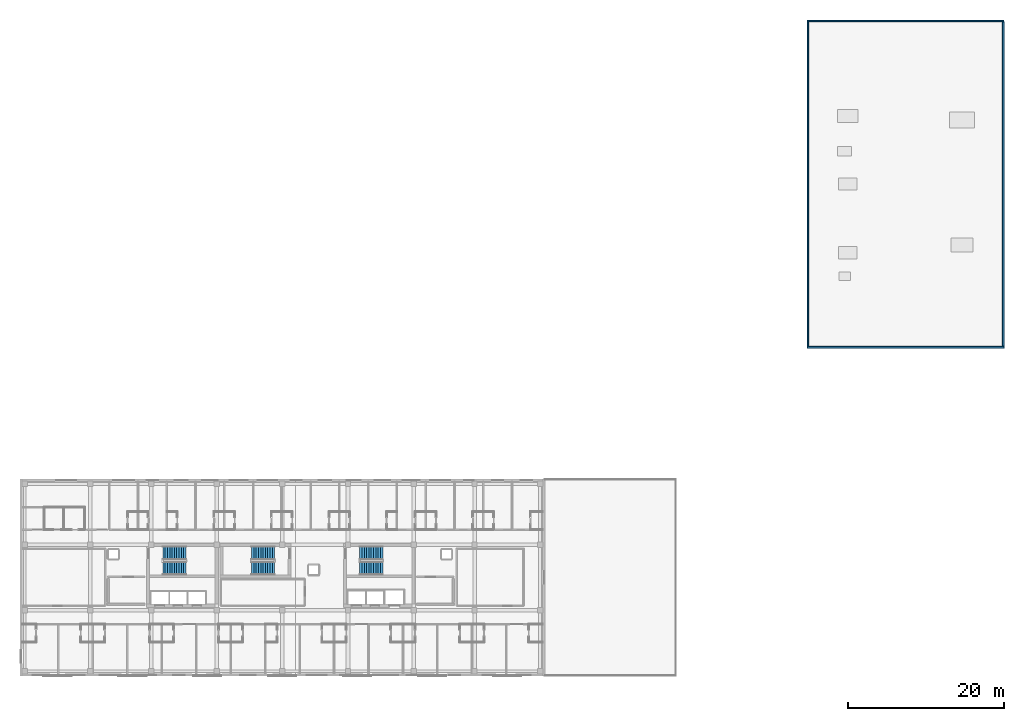
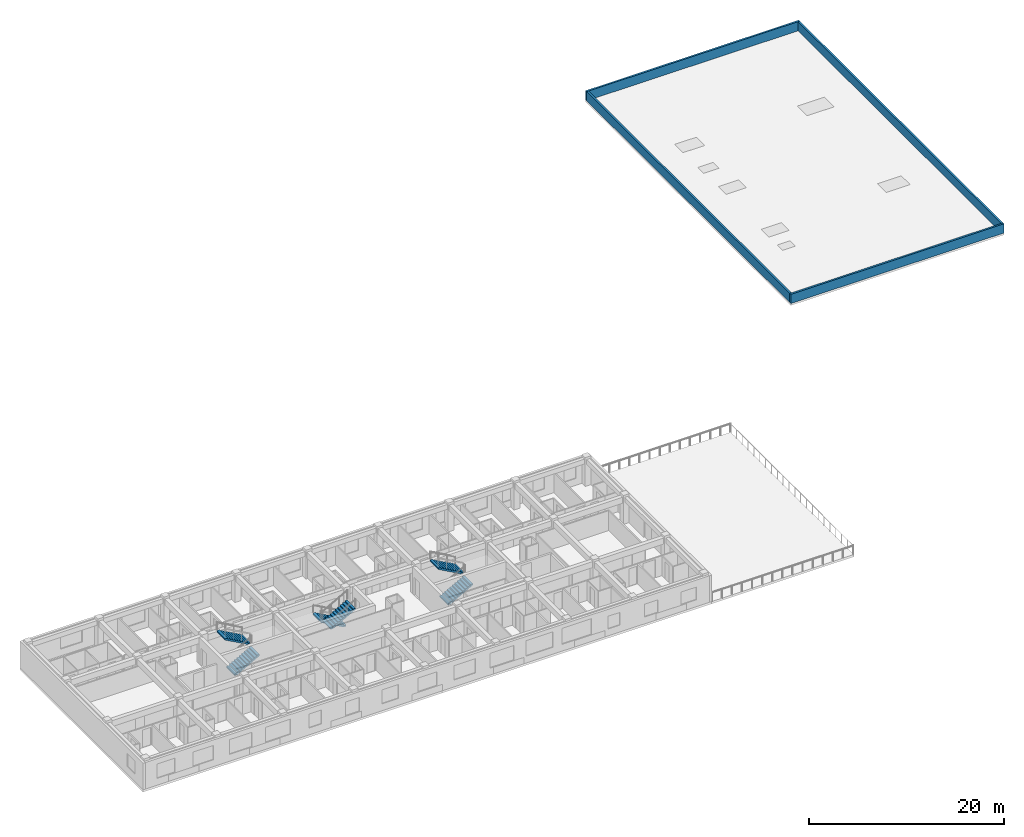
# One storey, part 10 of 13: 6 stair flights, 4 walls, 3 elements without a shape of their own.
"""IFC4 building model written with IfcOpenShell, lengths in metres."""

from ifc_helpers import new_model, si_unit, direction, frame, frame_2d, origin, place, context, subcontext, project, spatial, polyline, rectangle, outline, extrude, material, layer, layer_set, type_object, element, aggregate, save


model = new_model("IFC4")

# Units and contexts
model_context = context("Model", 3, precision=1e-05, world=origin(), true_north=direction((0.0, 1.0)))
body_context = subcontext(model_context, "Body", "Model", "MODEL_VIEW")
ifc_project = project(units=[si_unit("LENGTHUNIT", "METRE"), si_unit("AREAUNIT", "SQUARE_METRE"), si_unit("VOLUMEUNIT", "CUBIC_METRE"), si_unit("PLANEANGLEUNIT", "RADIAN"), si_unit("MASSUNIT", "GRAM", prefix="KILO")], contexts=[model_context])

# Site, building, storey
site_placement = place(None, origin())
site = spatial("IfcSite", under=ifc_project, at=site_placement, CompositionType="ELEMENT")
building_placement = place(site_placement, origin())
building = spatial("IfcBuilding", under=site, at=building_placement, Name="Zayran Congress Hotel", CompositionType="ELEMENT")
storey_placement = place(building_placement, frame((0.0, 0.0, 22.800048828125)))
storey = spatial("IfcBuildingStorey", under=building, at=storey_placement, Name="L05", CompositionType="ELEMENT", Elevation=22.800048828125)

# Walls
ifc_material_1 = material(Name="Concrete C32/40 with limestone coping", Category="masonry")
ifc_layer = layer(ifc_material_1, 0.219970703125)
ifc_layer_set = layer_set([ifc_layer], Name="Concrete C32/40 with limestone coping")
wall_type = type_object("IfcWallType", Name="WL-PR-220", PredefinedType="PARAPET", material=ifc_layer_set)
for number, where, z_axis, x_axis, name in (
    (1, (109.199951171875, 50.909912109375, 0.0), (0.0, 0.0, 1.0), (1.0, 0.0, 0.0), "PAR-V4-L05-S"),
    (2, (134.39990234375, 92.68994140625, 0.0), (0.0, 0.0, 1.0), (-1.0, 0.0, 0.0), "PAR-V4-L05-N"),
):
    element("IfcWall", number, at=place(storey_placement, frame(where, z_axis=z_axis, x_axis=x_axis)), inside=storey, type_object=wall_type, Name=name, PredefinedType="PARAPET", context=body_context, shape_type="SweptSolid", body=[
        extrude(rectangle(XDim=25.199951171875, YDim=0.219970703125, at=frame_2d((12.60009765625, 0.0))), origin(), (0.0, 0.0, 1.0), 1.14990234375),
    ])
for number, where, z_axis, x_axis, name in (
    (3, (109.31005859375, 92.580078125, 0.0), (0.0, 0.0, 1.0), (0.0, -1.0, 0.0), "PAR-V4-L05-W"),
    (4, (134.2900390625, 51.02001953125, 0.0), (0.0, 0.0, 1.0), (0.0, 1.0, 0.0), "PAR-V4-L05-E"),
):
    element("IfcWall", number, at=place(storey_placement, frame(where, z_axis=z_axis, x_axis=x_axis)), inside=storey, type_object=wall_type, Name=name, PredefinedType="PARAPET", context=body_context, shape_type="SweptSolid", body=[
        extrude(rectangle(XDim=41.56005859375, YDim=0.219970703125, at=frame_2d((20.780029296875, 0.0))), origin(), (0.0, 0.0, 1.0), 1.14990234375),
    ])

# Stair, stair flights
ifc_material_2 = material(Name="Concrete C32/40", Category="concrete")
stair_type = type_object("IfcStairType", Name="TP-STR-1700-36", PredefinedType="USERDEFINED", material=ifc_material_2)
stair_1_placement = place(storey_placement, origin())
stair_1 = element("IfcStair", 5, at=stair_1_placement, inside=storey, type_object=stair_type, Name="L05 ST-01", ObjectType="TWO_RETURN_STAIR", PredefinedType="USERDEFINED")
stair_flight_type = type_object("IfcStairFlightType", Name="TP-STF-1700-36", PredefinedType="STRAIGHT", material=ifc_material_2)
stair_flight_1_placement = place(storey_placement, frame((26.699951171875, 22.610107421875, 0.0), z_axis=(0.0, 0.0, 1.0), x_axis=(1.0, 0.0, 0.0)))
stair_flight_1 = element("IfcStairFlight", 6, at=stair_flight_1_placement, type_object=stair_flight_type, Name="ST-01 flight 1", NumberOfRisers=11, NumberOfTreads=10, PredefinedType="STRAIGHT", RiserHeight=0.16363636363636355, TreadLength=0.295, context=body_context, shape_type="SweptSolid", body=[
    extrude(outline(polyline([(0.0, 0.0), (0.0, 0.16357421875), (0.294921875, 0.16357421875), (0.294921875, 0.327392578125), (0.590087890625, 0.327392578125), (0.590087890625, 0.490966796875), (0.885009765625, 0.490966796875), (0.885009765625, 0.654541015625), (1.179931640625, 0.654541015625), (1.179931640625, 0.818115234375), (1.47509765625, 0.818115234375), (1.47509765625, 0.98193359375), (1.77001953125, 0.98193359375), (1.77001953125, 1.1455078125), (2.06494140625, 1.1455078125), (2.06494140625, 1.30908203125), (2.360107421875, 1.30908203125), (2.360107421875, 1.47265625), (2.655029296875, 1.47265625), (2.655029296875, 1.636474609375), (2.949951171875, 1.636474609375), (2.949951171875, 1.800048828125), (2.949951171875, 1.46484375), (0.30908203125, 0.0), (0.0, 0.0)])), frame((0.0, 0.85009765625, 0.0), z_axis=(0.0, -1.0, 0.0), x_axis=(1.0, 0.0, 0.0)), (0.0, 0.0, 1.0), 1.699951171875),
])
stair_flight_2_placement = place(storey_placement, frame((29.64990234375, 24.550048828125, 1.800048828125), z_axis=(0.0, 0.0, 1.0), x_axis=(-1.0, 0.0, 0.0)))
stair_flight_2 = element("IfcStairFlight", 7, at=stair_flight_2_placement, type_object=stair_flight_type, Name="ST-01 flight 2", NumberOfRisers=11, NumberOfTreads=10, PredefinedType="STRAIGHT", RiserHeight=0.16363636363636355, TreadLength=0.295, context=body_context, shape_type="SweptSolid", body=[
    extrude(outline(polyline([(0.0, 0.0), (0.0, 0.16357421875), (0.294921875, 0.16357421875), (0.294921875, 0.327392578125), (0.590087890625, 0.327392578125), (0.590087890625, 0.490966796875), (0.885009765625, 0.490966796875), (0.885009765625, 0.654541015625), (1.179931640625, 0.654541015625), (1.179931640625, 0.818115234375), (1.47509765625, 0.818115234375), (1.47509765625, 0.98193359375), (1.77001953125, 0.98193359375), (1.77001953125, 1.1455078125), (2.06494140625, 1.1455078125), (2.06494140625, 1.30908203125), (2.360107421875, 1.30908203125), (2.360107421875, 1.47265625), (2.655029296875, 1.47265625), (2.655029296875, 1.636474609375), (2.949951171875, 1.636474609375), (2.949951171875, 1.800048828125), (2.949951171875, 1.46484375), (0.30908203125, 0.0), (0.0, 0.0)])), frame((0.0, 0.85009765625, 0.0), z_axis=(0.0, -1.0, 0.0), x_axis=(1.0, 0.0, 0.0)), (0.0, 0.0, 1.0), 1.699951171875),
])
aggregate(stair_1, [stair_flight_1, stair_flight_2])

stair_2_placement = place(storey_placement, origin())
stair_2 = element("IfcStair", 8, at=stair_2_placement, inside=storey, type_object=stair_type, Name="L05 ST-02", ObjectType="TWO_RETURN_STAIR", PredefinedType="USERDEFINED")
stair_flight_3_placement = place(storey_placement, frame((51.89990234375, 22.610107421875, 0.0), z_axis=(0.0, 0.0, 1.0), x_axis=(1.0, 0.0, 0.0)))
stair_flight_3 = element("IfcStairFlight", 9, at=stair_flight_3_placement, type_object=stair_flight_type, Name="ST-02 flight 1", NumberOfRisers=11, NumberOfTreads=10, PredefinedType="STRAIGHT", RiserHeight=0.16363636363636355, TreadLength=0.295, context=body_context, shape_type="SweptSolid", body=[
    extrude(outline(polyline([(0.0, 0.0), (0.0, 0.16357421875), (0.294921875, 0.16357421875), (0.294921875, 0.327392578125), (0.590087890625, 0.327392578125), (0.590087890625, 0.490966796875), (0.885009765625, 0.490966796875), (0.885009765625, 0.654541015625), (1.179931640625, 0.654541015625), (1.179931640625, 0.818115234375), (1.47509765625, 0.818115234375), (1.47509765625, 0.98193359375), (1.77001953125, 0.98193359375), (1.77001953125, 1.1455078125), (2.06494140625, 1.1455078125), (2.06494140625, 1.30908203125), (2.360107421875, 1.30908203125), (2.360107421875, 1.47265625), (2.655029296875, 1.47265625), (2.655029296875, 1.636474609375), (2.949951171875, 1.636474609375), (2.949951171875, 1.800048828125), (2.949951171875, 1.46484375), (0.30908203125, 0.0), (0.0, 0.0)])), frame((0.0, 0.85009765625, 0.0), z_axis=(0.0, -1.0, 0.0), x_axis=(1.0, 0.0, 0.0)), (0.0, 0.0, 1.0), 1.699951171875),
])
stair_flight_4_placement = place(storey_placement, frame((54.85009765625, 24.550048828125, 1.800048828125), z_axis=(0.0, 0.0, 1.0), x_axis=(-1.0, 0.0, 0.0)))
stair_flight_4 = element("IfcStairFlight", 10, at=stair_flight_4_placement, type_object=stair_flight_type, Name="ST-02 flight 2", NumberOfRisers=11, NumberOfTreads=10, PredefinedType="STRAIGHT", RiserHeight=0.16363636363636355, TreadLength=0.295, context=body_context, shape_type="SweptSolid", body=[
    extrude(outline(polyline([(0.0, 0.0), (0.0, 0.16357421875), (0.294921875, 0.16357421875), (0.294921875, 0.327392578125), (0.590087890625, 0.327392578125), (0.590087890625, 0.490966796875), (0.885009765625, 0.490966796875), (0.885009765625, 0.654541015625), (1.179931640625, 0.654541015625), (1.179931640625, 0.818115234375), (1.47509765625, 0.818115234375), (1.47509765625, 0.98193359375), (1.77001953125, 0.98193359375), (1.77001953125, 1.1455078125), (2.06494140625, 1.1455078125), (2.06494140625, 1.30908203125), (2.360107421875, 1.30908203125), (2.360107421875, 1.47265625), (2.655029296875, 1.47265625), (2.655029296875, 1.636474609375), (2.949951171875, 1.636474609375), (2.949951171875, 1.800048828125), (2.949951171875, 1.46484375), (0.30908203125, 0.0), (0.0, 0.0)])), frame((0.0, 0.85009765625, 0.0), z_axis=(0.0, -1.0, 0.0), x_axis=(1.0, 0.0, 0.0)), (0.0, 0.0, 1.0), 1.699951171875),
])
aggregate(stair_2, [stair_flight_3, stair_flight_4])

stair_3_placement = place(storey_placement, origin())
stair_3 = element("IfcStair", 11, at=stair_3_placement, inside=storey, type_object=stair_type, Name="L05 ST-13", ObjectType="TWO_RETURN_STAIR", PredefinedType="USERDEFINED")
stair_flight_5_placement = place(storey_placement, frame((41.0, 24.550048828125, 0.0), z_axis=(0.0, 0.0, 1.0), x_axis=(-1.0, 0.0, 0.0)))
stair_flight_5 = element("IfcStairFlight", 12, at=stair_flight_5_placement, type_object=stair_flight_type, Name="ST-13 flight 1", NumberOfRisers=11, NumberOfTreads=10, PredefinedType="STRAIGHT", RiserHeight=0.16363636363636355, TreadLength=0.295, context=body_context, shape_type="SweptSolid", body=[
    extrude(outline(polyline([(0.0, 0.0), (0.0, 0.16357421875), (0.294921875, 0.16357421875), (0.294921875, 0.327392578125), (0.590087890625, 0.327392578125), (0.590087890625, 0.490966796875), (0.885009765625, 0.490966796875), (0.885009765625, 0.654541015625), (1.179931640625, 0.654541015625), (1.179931640625, 0.818115234375), (1.47509765625, 0.818115234375), (1.47509765625, 0.98193359375), (1.77001953125, 0.98193359375), (1.77001953125, 1.1455078125), (2.06494140625, 1.1455078125), (2.06494140625, 1.30908203125), (2.360107421875, 1.30908203125), (2.360107421875, 1.47265625), (2.655029296875, 1.47265625), (2.655029296875, 1.636474609375), (2.949951171875, 1.636474609375), (2.949951171875, 1.800048828125), (2.949951171875, 1.46484375), (0.30908203125, 0.0), (0.0, 0.0)])), frame((0.0, 0.85009765625, 0.0), z_axis=(0.0, -1.0, 0.0), x_axis=(1.0, 0.0, 0.0)), (0.0, 0.0, 1.0), 1.699951171875),
])
stair_flight_6_placement = place(storey_placement, frame((38.050048828125, 22.610107421875, 1.800048828125), z_axis=(0.0, 0.0, 1.0), x_axis=(1.0, 0.0, 0.0)))
stair_flight_6 = element("IfcStairFlight", 13, at=stair_flight_6_placement, type_object=stair_flight_type, Name="ST-13 flight 2", NumberOfRisers=11, NumberOfTreads=10, PredefinedType="STRAIGHT", RiserHeight=0.16363636363636355, TreadLength=0.295, context=body_context, shape_type="SweptSolid", body=[
    extrude(outline(polyline([(0.0, 0.0), (0.0, 0.16357421875), (0.294921875, 0.16357421875), (0.294921875, 0.327392578125), (0.590087890625, 0.327392578125), (0.590087890625, 0.490966796875), (0.885009765625, 0.490966796875), (0.885009765625, 0.654541015625), (1.179931640625, 0.654541015625), (1.179931640625, 0.818115234375), (1.47509765625, 0.818115234375), (1.47509765625, 0.98193359375), (1.77001953125, 0.98193359375), (1.77001953125, 1.1455078125), (2.06494140625, 1.1455078125), (2.06494140625, 1.30908203125), (2.360107421875, 1.30908203125), (2.360107421875, 1.47265625), (2.655029296875, 1.47265625), (2.655029296875, 1.636474609375), (2.949951171875, 1.636474609375), (2.949951171875, 1.800048828125), (2.949951171875, 1.46484375), (0.30908203125, 0.0), (0.0, 0.0)])), frame((0.0, 0.85009765625, 0.0), z_axis=(0.0, -1.0, 0.0), x_axis=(1.0, 0.0, 0.0)), (0.0, 0.0, 1.0), 1.699951171875),
])
aggregate(stair_3, [stair_flight_5, stair_flight_6])

save(model, "model.ifc")
